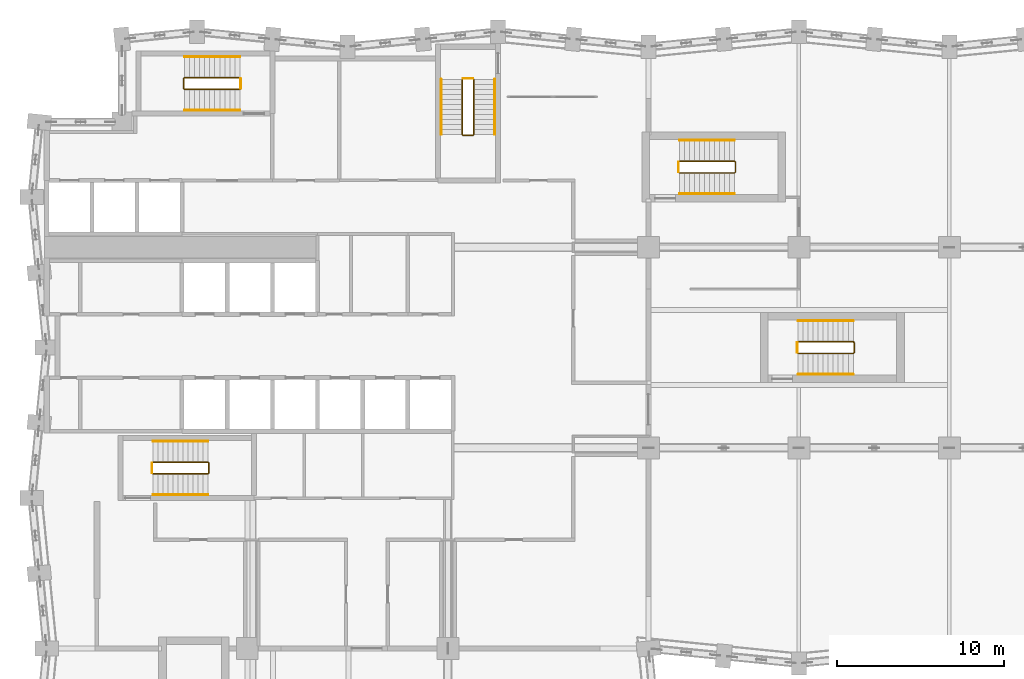
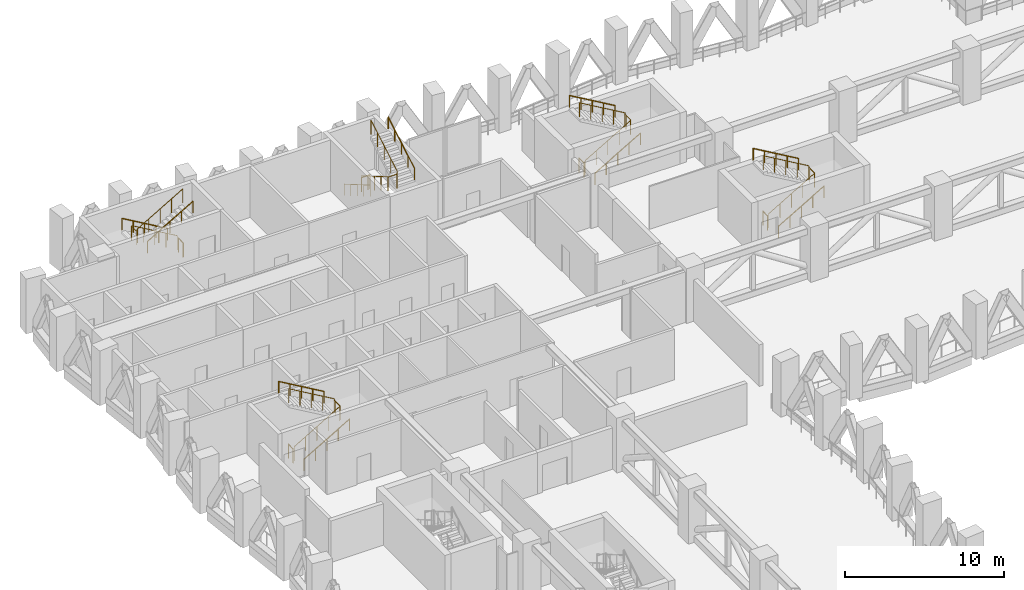
# One storey, part 25 of 25: 20 railings.
"""IFC4 building model written with IfcOpenShell, lengths in metres."""

from ifc_helpers import new_model, si_unit, direction, frame, origin, origin_2d, place, context, subcontext, project, spatial, circle, extrude, material, type_object, element, save


model = new_model("IFC4")

# Units and contexts
model_context = context("Model", 3, precision=1e-05, world=origin(), true_north=direction((0.0, 1.0)))
body_context = subcontext(model_context, "Body", "Model", "MODEL_VIEW")
ifc_project = project(units=[si_unit("LENGTHUNIT", "METRE"), si_unit("AREAUNIT", "SQUARE_METRE"), si_unit("VOLUMEUNIT", "CUBIC_METRE"), si_unit("PLANEANGLEUNIT", "RADIAN"), si_unit("MASSUNIT", "GRAM", prefix="KILO")], contexts=[model_context])

# Site, building, storey
site_placement = place(None, origin())
site = spatial("IfcSite", under=ifc_project, at=site_placement, CompositionType="ELEMENT")
building_placement = place(site_placement, origin())
building = spatial("IfcBuilding", under=site, at=building_placement, Name="Brondeck Convention Tower", CompositionType="ELEMENT")
storey_placement = place(building_placement, frame((0.0, 0.0, 84.300048828125)))
storey = spatial("IfcBuildingStorey", under=building, at=storey_placement, Name="L19", CompositionType="ELEMENT", Elevation=84.300048828125)

# Railings
ifc_material = material(Name="Steel S355", Category="steel")
railing_type_1 = type_object("IfcRailingType", Name="Stair guard 1100", PredefinedType="GUARDRAIL", material=ifc_material)
railing_1_placement = place(storey_placement, frame((6.35009765625, 37.449951171875, 0.175048828125)))
element("IfcRailing", 1, at=railing_1_placement, inside=storey, type_object=railing_type_1, Name="L19 ST-1 stair guard 1", PredefinedType="GUARDRAIL", context=body_context, shape_type="SweptSolid", body=[
    extrude(circle(Radius=0.02392578125, at=origin_2d()), frame((0.0, 0.0, 1.076171875), z_axis=(0.863788172461, 0.0, 0.503855131081), x_axis=(0.0, 1.0, 0.0)), (0.0, 0.0, 1.0), 3.820068359375),
    extrude(circle(Radius=0.02392578125, at=origin_2d()), frame((3.2998046875, 0.0, 3.0009765625), z_axis=(0.707106781187, 0.707106781187, 0.0), x_axis=(-0.707106781187, 0.707106781187, 0.0)), (0.0, 0.0, 1.0), 0.07080078125),
    extrude(circle(Radius=0.02392578125, at=origin_2d()), frame((3.349853515625, 0.050048828125, 3.0009765625), z_axis=(0.0, 1.0, 0.0), x_axis=(-1.0, 0.0, 0.0)), (0.0, 0.0, 1.0), 0.60009765625),
    extrude(circle(Radius=0.02392578125, at=origin_2d()), frame((3.349853515625, 0.650146484375, 3.0009765625), z_axis=(-0.265155923931, 0.263862480399, 0.927399011991), x_axis=(-0.705375805398, -0.708833529934, 0.0)), (0.0, 0.0, 1.0), 0.188720703125),
    extrude(circle(Radius=0.02392578125, at=origin_2d()), frame((3.2998046875, 0.699951171875, 3.17578125), z_axis=(-0.863760357493, 0.0, 0.503902812876), x_axis=(0.0, -1.0, 0.0)), (0.0, 0.0, 1.0), 3.8203125),
    extrude(circle(Radius=0.02099609375, at=origin_2d()), origin(), (0.0, 0.0, 1.0), 1.052001953125),
    extrude(circle(Radius=0.02099609375, at=origin_2d()), frame((0.824951171875, 0.0, 0.481201171875)), (0.0, 0.0, 1.0), 1.052001953125),
    extrude(circle(Radius=0.02099609375, at=origin_2d()), frame((1.64990234375, 0.0, 0.96240234375)), (0.0, 0.0, 1.0), 1.052001953125),
    extrude(circle(Radius=0.02099609375, at=origin_2d()), frame((2.474853515625, 0.0, 1.443603515625)), (0.0, 0.0, 1.0), 1.052001953125),
    extrude(circle(Radius=0.02099609375, at=origin_2d()), frame((3.2998046875, 0.0, 1.9248046875)), (0.0, 0.0, 1.0), 1.052001953125),
    extrude(circle(Radius=0.02099609375, at=origin_2d()), frame((3.349853515625, 0.050048828125, 1.9248046875)), (0.0, 0.0, 1.0), 1.052001953125),
    extrude(circle(Radius=0.02099609375, at=origin_2d()), frame((3.349853515625, 0.650146484375, 1.9248046875)), (0.0, 0.0, 1.0), 1.052001953125),
    extrude(circle(Radius=0.02099609375, at=origin_2d()), frame((3.2998046875, 0.699951171875, 2.099853515625)), (0.0, 0.0, 1.0), 1.052001953125),
    extrude(circle(Radius=0.02099609375, at=origin_2d()), frame((2.474853515625, 0.699951171875, 2.5810546875)), (0.0, 0.0, 1.0), 1.052001953125),
    extrude(circle(Radius=0.02099609375, at=origin_2d()), frame((1.64990234375, 0.699951171875, 3.0625)), (0.0, 0.0, 1.0), 1.052001953125),
    extrude(circle(Radius=0.02099609375, at=origin_2d()), frame((0.824951171875, 0.699951171875, 3.543701171875)), (0.0, 0.0, 1.0), 1.052001953125),
    extrude(circle(Radius=0.02099609375, at=origin_2d()), frame((0.0, 0.699951171875, 4.02490234375)), (0.0, 0.0, 1.0), 1.052001953125),
])
railing_2_placement = place(storey_placement, frame((6.300048828125, 37.5, 0.0)))
element("IfcRailing", 2, at=railing_2_placement, inside=storey, type_object=railing_type_1, Name="L19 ST-1 stair guard 2", PredefinedType="GUARDRAIL", context=body_context, shape_type="SweptSolid", body=[
    extrude(circle(Radius=0.02392578125, at=origin_2d()), frame((0.0, 0.0, 1.076171875), z_axis=(0.0, 1.0, 0.0), x_axis=(-1.0, 0.0, 0.0)), (0.0, 0.0, 1.0), 0.60009765625),
    extrude(circle(Radius=0.02099609375, at=origin_2d()), origin(), (0.0, 0.0, 1.0), 1.052001953125),
    extrude(circle(Radius=0.02099609375, at=origin_2d()), frame((0.0, 0.60009765625, 0.0)), (0.0, 0.0, 1.0), 1.052001953125),
])
railing_3_placement = place(storey_placement, frame((24.85009765625, 61.050048828125, 0.175048828125)))
element("IfcRailing", 3, at=railing_3_placement, inside=storey, type_object=railing_type_1, Name="L19 ST-2 stair guard 1", PredefinedType="GUARDRAIL", context=body_context, shape_type="SweptSolid", body=[
    extrude(circle(Radius=0.02392578125, at=origin_2d()), frame((0.0, 0.0, 1.076171875), z_axis=(0.0, -0.863804395585, 0.503827317807), x_axis=(1.0, 0.0, 0.0)), (0.0, 0.0, 1.0), 3.8203125),
    extrude(circle(Radius=0.02392578125, at=origin_2d()), frame((0.0, -3.300048828125, 3.0009765625), z_axis=(0.705375805398, -0.708833529934, 0.0), x_axis=(0.708833529934, 0.705375805398, 0.0)), (0.0, 0.0, 1.0), 0.070556640625),
    extrude(circle(Radius=0.02392578125, at=origin_2d()), frame((0.0498046875, -3.35009765625, 3.0009765625), z_axis=(1.0, 0.0, 0.0), x_axis=(0.0, 1.0, 0.0)), (0.0, 0.0, 1.0), 0.60009765625),
    extrude(circle(Radius=0.02392578125, at=origin_2d()), frame((0.64990234375, -3.35009765625, 3.0009765625), z_axis=(0.265065253269, 0.265065253269, 0.927081885822), x_axis=(-0.707106781187, 0.707106781187, 0.0)), (0.0, 0.0, 1.0), 0.188720703125),
    extrude(circle(Radius=0.02392578125, at=origin_2d()), frame((0.699951171875, -3.300048828125, 3.17578125), z_axis=(0.0, 0.863776583165, 0.503874998761), x_axis=(-1.0, 0.0, 0.0)), (0.0, 0.0, 1.0), 3.820556640625),
    extrude(circle(Radius=0.02099609375, at=origin_2d()), origin(), (0.0, 0.0, 1.0), 1.052001953125),
    extrude(circle(Radius=0.02099609375, at=origin_2d()), frame((0.0, -0.824951171875, 0.481201171875)), (0.0, 0.0, 1.0), 1.052001953125),
    extrude(circle(Radius=0.02099609375, at=origin_2d()), frame((0.0, -1.64990234375, 0.96240234375)), (0.0, 0.0, 1.0), 1.052001953125),
    extrude(circle(Radius=0.02099609375, at=origin_2d()), frame((0.0, -2.47509765625, 1.443603515625)), (0.0, 0.0, 1.0), 1.052001953125),
    extrude(circle(Radius=0.02099609375, at=origin_2d()), frame((0.0, -3.300048828125, 1.9248046875)), (0.0, 0.0, 1.0), 1.052001953125),
    extrude(circle(Radius=0.02099609375, at=origin_2d()), frame((0.0498046875, -3.35009765625, 1.9248046875)), (0.0, 0.0, 1.0), 1.052001953125),
    extrude(circle(Radius=0.02099609375, at=origin_2d()), frame((0.64990234375, -3.35009765625, 1.9248046875)), (0.0, 0.0, 1.0), 1.052001953125),
    extrude(circle(Radius=0.02099609375, at=origin_2d()), frame((0.699951171875, -3.300048828125, 2.099853515625)), (0.0, 0.0, 1.0), 1.052001953125),
    extrude(circle(Radius=0.02099609375, at=origin_2d()), frame((0.699951171875, -2.47509765625, 2.5810546875)), (0.0, 0.0, 1.0), 1.052001953125),
    extrude(circle(Radius=0.02099609375, at=origin_2d()), frame((0.699951171875, -1.64990234375, 3.0625)), (0.0, 0.0, 1.0), 1.052001953125),
    extrude(circle(Radius=0.02099609375, at=origin_2d()), frame((0.699951171875, -0.824951171875, 3.543701171875)), (0.0, 0.0, 1.0), 1.052001953125),
    extrude(circle(Radius=0.02099609375, at=origin_2d()), frame((0.699951171875, 0.0, 4.02490234375)), (0.0, 0.0, 1.0), 1.052001953125),
])
railing_4_placement = place(storey_placement, frame((24.89990234375, 61.10009765625, 0.0)))
element("IfcRailing", 4, at=railing_4_placement, inside=storey, type_object=railing_type_1, Name="L19 ST-2 stair guard 2", PredefinedType="GUARDRAIL", context=body_context, shape_type="SweptSolid", body=[
    extrude(circle(Radius=0.02392578125, at=origin_2d()), frame((0.0, 0.0, 1.076171875), z_axis=(1.0, 0.0, 0.0), x_axis=(0.0, 1.0, 0.0)), (0.0, 0.0, 1.0), 0.60009765625),
    extrude(circle(Radius=0.02099609375, at=origin_2d()), origin(), (0.0, 0.0, 1.0), 1.052001953125),
    extrude(circle(Radius=0.02099609375, at=origin_2d()), frame((0.60009765625, 0.0, 0.0)), (0.0, 0.0, 1.0), 1.052001953125),
])
railing_5_placement = place(storey_placement, frame((11.550048828125, 61.14990234375, 0.175048828125)))
element("IfcRailing", 5, at=railing_5_placement, inside=storey, type_object=railing_type_1, Name="L19 ST-3 stair guard 1", PredefinedType="GUARDRAIL", context=body_context, shape_type="SweptSolid", body=[
    extrude(circle(Radius=0.02392578125, at=origin_2d()), frame((0.0, 0.0, 1.076171875), z_axis=(-0.863804395585, 0.0, 0.503827317807), x_axis=(0.0, -1.0, 0.0)), (0.0, 0.0, 1.0), 3.8203125),
    extrude(circle(Radius=0.02392578125, at=origin_2d()), frame((-3.300048828125, 0.0, 3.0009765625), z_axis=(-0.708833529934, -0.705375805398, 0.0), x_axis=(0.705375805398, -0.708833529934, 0.0)), (0.0, 0.0, 1.0), 0.070556640625),
    extrude(circle(Radius=0.02392578125, at=origin_2d()), frame((-3.35009765625, -0.0498046875, 3.0009765625), z_axis=(0.0, -1.0, 0.0), x_axis=(1.0, 0.0, 0.0)), (0.0, 0.0, 1.0), 0.60009765625),
    extrude(circle(Radius=0.02392578125, at=origin_2d()), frame((-3.35009765625, -0.64990234375, 3.0009765625), z_axis=(0.265065253269, -0.265065253269, 0.927081885822), x_axis=(0.707106781187, 0.707106781187, 0.0)), (0.0, 0.0, 1.0), 0.188720703125),
    extrude(circle(Radius=0.02392578125, at=origin_2d()), frame((-3.300048828125, -0.699951171875, 3.17578125), z_axis=(0.863776583165, 0.0, 0.503874998761), x_axis=(0.0, 1.0, 0.0)), (0.0, 0.0, 1.0), 3.820556640625),
    extrude(circle(Radius=0.02099609375, at=origin_2d()), origin(), (0.0, 0.0, 1.0), 1.052001953125),
    extrude(circle(Radius=0.02099609375, at=origin_2d()), frame((-0.824951171875, 0.0, 0.481201171875)), (0.0, 0.0, 1.0), 1.052001953125),
    extrude(circle(Radius=0.02099609375, at=origin_2d()), frame((-1.64990234375, 0.0, 0.96240234375)), (0.0, 0.0, 1.0), 1.052001953125),
    extrude(circle(Radius=0.02099609375, at=origin_2d()), frame((-2.47509765625, 0.0, 1.443603515625)), (0.0, 0.0, 1.0), 1.052001953125),
    extrude(circle(Radius=0.02099609375, at=origin_2d()), frame((-3.300048828125, 0.0, 1.9248046875)), (0.0, 0.0, 1.0), 1.052001953125),
    extrude(circle(Radius=0.02099609375, at=origin_2d()), frame((-3.35009765625, -0.0498046875, 1.9248046875)), (0.0, 0.0, 1.0), 1.052001953125),
    extrude(circle(Radius=0.02099609375, at=origin_2d()), frame((-3.35009765625, -0.64990234375, 1.9248046875)), (0.0, 0.0, 1.0), 1.052001953125),
    extrude(circle(Radius=0.02099609375, at=origin_2d()), frame((-3.300048828125, -0.699951171875, 2.099853515625)), (0.0, 0.0, 1.0), 1.052001953125),
    extrude(circle(Radius=0.02099609375, at=origin_2d()), frame((-2.47509765625, -0.699951171875, 2.5810546875)), (0.0, 0.0, 1.0), 1.052001953125),
    extrude(circle(Radius=0.02099609375, at=origin_2d()), frame((-1.64990234375, -0.699951171875, 3.0625)), (0.0, 0.0, 1.0), 1.052001953125),
    extrude(circle(Radius=0.02099609375, at=origin_2d()), frame((-0.824951171875, -0.699951171875, 3.543701171875)), (0.0, 0.0, 1.0), 1.052001953125),
    extrude(circle(Radius=0.02099609375, at=origin_2d()), frame((0.0, -0.699951171875, 4.02490234375)), (0.0, 0.0, 1.0), 1.052001953125),
])
railing_6_placement = place(storey_placement, frame((11.60009765625, 61.10009765625, 0.0)))
element("IfcRailing", 6, at=railing_6_placement, inside=storey, type_object=railing_type_1, Name="L19 ST-3 stair guard 2", PredefinedType="GUARDRAIL", context=body_context, shape_type="SweptSolid", body=[
    extrude(circle(Radius=0.02392578125, at=origin_2d()), frame((0.0, 0.0, 1.076171875), z_axis=(0.0, -1.0, 0.0), x_axis=(1.0, 0.0, 0.0)), (0.0, 0.0, 1.0), 0.60009765625),
    extrude(circle(Radius=0.02099609375, at=origin_2d()), origin(), (0.0, 0.0, 1.0), 1.052001953125),
    extrude(circle(Radius=0.02099609375, at=origin_2d()), frame((0.0, -0.60009765625, 0.0)), (0.0, 0.0, 1.0), 1.052001953125),
])
railing_7_placement = place(storey_placement, frame((37.85009765625, 55.449951171875, 0.175048828125)))
element("IfcRailing", 7, at=railing_7_placement, inside=storey, type_object=railing_type_1, Name="L19 ST-AE stair guard 1", PredefinedType="GUARDRAIL", context=body_context, shape_type="SweptSolid", body=[
    extrude(circle(Radius=0.02392578125, at=origin_2d()), frame((0.0, 0.0, 1.076171875), z_axis=(0.863788172461, 0.0, 0.503855131081), x_axis=(0.0, 1.0, 0.0)), (0.0, 0.0, 1.0), 3.820068359375),
    extrude(circle(Radius=0.02392578125, at=origin_2d()), frame((3.2998046875, 0.0, 3.0009765625), z_axis=(0.707106781187, 0.707106781187, 0.0), x_axis=(-0.707106781187, 0.707106781187, 0.0)), (0.0, 0.0, 1.0), 0.07080078125),
    extrude(circle(Radius=0.02392578125, at=origin_2d()), frame((3.349853515625, 0.050048828125, 3.0009765625), z_axis=(0.0, 1.0, 0.0), x_axis=(-1.0, 0.0, 0.0)), (0.0, 0.0, 1.0), 0.60009765625),
    extrude(circle(Radius=0.02392578125, at=origin_2d()), frame((3.349853515625, 0.650146484375, 3.0009765625), z_axis=(-0.265155923931, 0.263862480399, 0.927399011991), x_axis=(-0.705375805398, -0.708833529934, 0.0)), (0.0, 0.0, 1.0), 0.188720703125),
    extrude(circle(Radius=0.02392578125, at=origin_2d()), frame((3.2998046875, 0.699951171875, 3.17578125), z_axis=(-0.863760357493, 0.0, 0.503902812876), x_axis=(0.0, -1.0, 0.0)), (0.0, 0.0, 1.0), 3.8203125),
    extrude(circle(Radius=0.02099609375, at=origin_2d()), origin(), (0.0, 0.0, 1.0), 1.052001953125),
    extrude(circle(Radius=0.02099609375, at=origin_2d()), frame((0.824951171875, 0.0, 0.481201171875)), (0.0, 0.0, 1.0), 1.052001953125),
    extrude(circle(Radius=0.02099609375, at=origin_2d()), frame((1.64990234375, 0.0, 0.96240234375)), (0.0, 0.0, 1.0), 1.052001953125),
    extrude(circle(Radius=0.02099609375, at=origin_2d()), frame((2.474853515625, 0.0, 1.443603515625)), (0.0, 0.0, 1.0), 1.052001953125),
    extrude(circle(Radius=0.02099609375, at=origin_2d()), frame((3.2998046875, 0.0, 1.9248046875)), (0.0, 0.0, 1.0), 1.052001953125),
    extrude(circle(Radius=0.02099609375, at=origin_2d()), frame((3.349853515625, 0.050048828125, 1.9248046875)), (0.0, 0.0, 1.0), 1.052001953125),
    extrude(circle(Radius=0.02099609375, at=origin_2d()), frame((3.349853515625, 0.650146484375, 1.9248046875)), (0.0, 0.0, 1.0), 1.052001953125),
    extrude(circle(Radius=0.02099609375, at=origin_2d()), frame((3.2998046875, 0.699951171875, 2.099853515625)), (0.0, 0.0, 1.0), 1.052001953125),
    extrude(circle(Radius=0.02099609375, at=origin_2d()), frame((2.474853515625, 0.699951171875, 2.5810546875)), (0.0, 0.0, 1.0), 1.052001953125),
    extrude(circle(Radius=0.02099609375, at=origin_2d()), frame((1.64990234375, 0.699951171875, 3.0625)), (0.0, 0.0, 1.0), 1.052001953125),
    extrude(circle(Radius=0.02099609375, at=origin_2d()), frame((0.824951171875, 0.699951171875, 3.543701171875)), (0.0, 0.0, 1.0), 1.052001953125),
    extrude(circle(Radius=0.02099609375, at=origin_2d()), frame((0.0, 0.699951171875, 4.02490234375)), (0.0, 0.0, 1.0), 1.052001953125),
])
railing_8_placement = place(storey_placement, frame((37.800048828125, 55.5, 0.0)))
element("IfcRailing", 8, at=railing_8_placement, inside=storey, type_object=railing_type_1, Name="L19 ST-AE stair guard 2", PredefinedType="GUARDRAIL", context=body_context, shape_type="SweptSolid", body=[
    extrude(circle(Radius=0.02392578125, at=origin_2d()), frame((0.0, 0.0, 1.076171875), z_axis=(0.0, 1.0, 0.0), x_axis=(-1.0, 0.0, 0.0)), (0.0, 0.0, 1.0), 0.60009765625),
    extrude(circle(Radius=0.02099609375, at=origin_2d()), origin(), (0.0, 0.0, 1.0), 1.052001953125),
    extrude(circle(Radius=0.02099609375, at=origin_2d()), frame((0.0, 0.60009765625, 0.0)), (0.0, 0.0, 1.0), 1.052001953125),
])
railing_9_placement = place(storey_placement, frame((44.949951171875, 44.64990234375, 0.175048828125)))
element("IfcRailing", 9, at=railing_9_placement, inside=storey, type_object=railing_type_1, Name="L19 ST-AF stair guard 1", PredefinedType="GUARDRAIL", context=body_context, shape_type="SweptSolid", body=[
    extrude(circle(Radius=0.02392578125, at=origin_2d()), frame((0.0, 0.0, 1.076171875), z_axis=(0.863804395585, 0.0, 0.503827317807), x_axis=(0.0, 1.0, 0.0)), (0.0, 0.0, 1.0), 3.8203125),
    extrude(circle(Radius=0.02392578125, at=origin_2d()), frame((3.300048828125, 0.0, 3.0009765625), z_axis=(0.707106781187, 0.707106781187, 0.0), x_axis=(-0.707106781187, 0.707106781187, 0.0)), (0.0, 0.0, 1.0), 0.07080078125),
    extrude(circle(Radius=0.02392578125, at=origin_2d()), frame((3.35009765625, 0.050048828125, 3.0009765625), z_axis=(0.0, 1.0, 0.0), x_axis=(-1.0, 0.0, 0.0)), (0.0, 0.0, 1.0), 0.60009765625),
    extrude(circle(Radius=0.02392578125, at=origin_2d()), frame((3.35009765625, 0.650146484375, 3.0009765625), z_axis=(-0.265065253269, 0.265065253269, 0.927081885822), x_axis=(-0.707106781187, -0.707106781187, 0.0)), (0.0, 0.0, 1.0), 0.188720703125),
    extrude(circle(Radius=0.02392578125, at=origin_2d()), frame((3.300048828125, 0.7001953125, 3.17578125), z_axis=(-0.863776583165, 0.0, 0.503874998761), x_axis=(0.0, -1.0, 0.0)), (0.0, 0.0, 1.0), 3.820556640625),
    extrude(circle(Radius=0.02099609375, at=origin_2d()), origin(), (0.0, 0.0, 1.0), 1.052001953125),
    extrude(circle(Radius=0.02099609375, at=origin_2d()), frame((0.824951171875, 0.0, 0.481201171875)), (0.0, 0.0, 1.0), 1.052001953125),
    extrude(circle(Radius=0.02099609375, at=origin_2d()), frame((1.64990234375, 0.0, 0.96240234375)), (0.0, 0.0, 1.0), 1.052001953125),
    extrude(circle(Radius=0.02099609375, at=origin_2d()), frame((2.47509765625, 0.0, 1.443603515625)), (0.0, 0.0, 1.0), 1.052001953125),
    extrude(circle(Radius=0.02099609375, at=origin_2d()), frame((3.300048828125, 0.0, 1.9248046875)), (0.0, 0.0, 1.0), 1.052001953125),
    extrude(circle(Radius=0.02099609375, at=origin_2d()), frame((3.35009765625, 0.050048828125, 1.9248046875)), (0.0, 0.0, 1.0), 1.052001953125),
    extrude(circle(Radius=0.02099609375, at=origin_2d()), frame((3.35009765625, 0.650146484375, 1.9248046875)), (0.0, 0.0, 1.0), 1.052001953125),
    extrude(circle(Radius=0.02099609375, at=origin_2d()), frame((3.300048828125, 0.7001953125, 2.099853515625)), (0.0, 0.0, 1.0), 1.052001953125),
    extrude(circle(Radius=0.02099609375, at=origin_2d()), frame((2.47509765625, 0.7001953125, 2.5810546875)), (0.0, 0.0, 1.0), 1.052001953125),
    extrude(circle(Radius=0.02099609375, at=origin_2d()), frame((1.64990234375, 0.7001953125, 3.0625)), (0.0, 0.0, 1.0), 1.052001953125),
    extrude(circle(Radius=0.02099609375, at=origin_2d()), frame((0.824951171875, 0.7001953125, 3.543701171875)), (0.0, 0.0, 1.0), 1.052001953125),
    extrude(circle(Radius=0.02099609375, at=origin_2d()), frame((0.0, 0.7001953125, 4.02490234375)), (0.0, 0.0, 1.0), 1.052001953125),
])
railing_10_placement = place(storey_placement, frame((44.89990234375, 44.699951171875, 0.0)))
element("IfcRailing", 10, at=railing_10_placement, inside=storey, type_object=railing_type_1, Name="L19 ST-AF stair guard 2", PredefinedType="GUARDRAIL", context=body_context, shape_type="SweptSolid", body=[
    extrude(circle(Radius=0.02392578125, at=origin_2d()), frame((0.0, 0.0, 1.076171875), z_axis=(0.0, 1.0, 0.0), x_axis=(-1.0, 0.0, 0.0)), (0.0, 0.0, 1.0), 0.60009765625),
    extrude(circle(Radius=0.02099609375, at=origin_2d()), origin(), (0.0, 0.0, 1.0), 1.052001953125),
    extrude(circle(Radius=0.02099609375, at=origin_2d()), frame((0.0, 0.60009765625, 0.0)), (0.0, 0.0, 1.0), 1.052001953125),
])
railing_type_2 = type_object("IfcRailingType", Name="Stair handrail", PredefinedType="HANDRAIL", material=ifc_material)
railing_11_placement = place(storey_placement, frame((6.35009765625, 36.199951171875, 0.175048828125)))
element("IfcRailing", 11, at=railing_11_placement, inside=storey, type_object=railing_type_2, Name="L19 ST-1 stair handrail 1", PredefinedType="HANDRAIL", context=body_context, shape_type="SweptSolid", body=[
    extrude(circle(Radius=0.02392578125, at=origin_2d()), frame((0.0, 0.0, 0.8759765625), z_axis=(0.863788172461, 0.0, 0.503855131081), x_axis=(0.0, 1.0, 0.0)), (0.0, 0.0, 1.0), 3.820068359375),
    extrude(circle(Radius=0.02099609375, at=origin_2d()), origin(), (0.0, 0.0, 1.0), 0.851806640625),
    extrude(circle(Radius=0.02099609375, at=origin_2d()), frame((0.824951171875, 0.0, 0.481201171875)), (0.0, 0.0, 1.0), 0.851806640625),
    extrude(circle(Radius=0.02099609375, at=origin_2d()), frame((1.64990234375, 0.0, 0.96240234375)), (0.0, 0.0, 1.0), 0.851806640625),
    extrude(circle(Radius=0.02099609375, at=origin_2d()), frame((2.474853515625, 0.0, 1.443603515625)), (0.0, 0.0, 1.0), 0.851806640625),
    extrude(circle(Radius=0.02099609375, at=origin_2d()), frame((3.2998046875, 0.0, 1.9248046875)), (0.0, 0.0, 1.0), 0.851806640625),
])
railing_12_placement = place(storey_placement, frame((9.64990234375, 39.39990234375, 2.27490234375)))
element("IfcRailing", 12, at=railing_12_placement, inside=storey, type_object=railing_type_2, Name="L19 ST-1 stair handrail 2", PredefinedType="HANDRAIL", context=body_context, shape_type="SweptSolid", body=[
    extrude(circle(Radius=0.02392578125, at=origin_2d()), frame((0.0, 0.0, 0.8759765625), z_axis=(-0.863760357493, 0.0, 0.503902812876), x_axis=(0.0, -1.0, 0.0)), (0.0, 0.0, 1.0), 3.8203125),
    extrude(circle(Radius=0.02099609375, at=origin_2d()), origin(), (0.0, 0.0, 1.0), 0.851806640625),
    extrude(circle(Radius=0.02099609375, at=origin_2d()), frame((-0.824951171875, 0.0, 0.481201171875)), (0.0, 0.0, 1.0), 0.851806640625),
    extrude(circle(Radius=0.02099609375, at=origin_2d()), frame((-1.64990234375, 0.0, 0.96240234375)), (0.0, 0.0, 1.0), 0.851806640625),
    extrude(circle(Radius=0.02099609375, at=origin_2d()), frame((-2.474853515625, 0.0, 1.44384765625)), (0.0, 0.0, 1.0), 0.851806640625),
    extrude(circle(Radius=0.02099609375, at=origin_2d()), frame((-3.2998046875, 0.0, 1.925048828125)), (0.0, 0.0, 1.0), 0.851806640625),
])
railing_13_placement = place(storey_placement, frame((23.60009765625, 61.050048828125, 0.175048828125)))
element("IfcRailing", 13, at=railing_13_placement, inside=storey, type_object=railing_type_2, Name="L19 ST-2 stair handrail 1", PredefinedType="HANDRAIL", context=body_context, shape_type="SweptSolid", body=[
    extrude(circle(Radius=0.02392578125, at=origin_2d()), frame((0.0, 0.0, 0.8759765625), z_axis=(0.0, -0.863804395585, 0.503827317807), x_axis=(1.0, 0.0, 0.0)), (0.0, 0.0, 1.0), 3.8203125),
    extrude(circle(Radius=0.02099609375, at=origin_2d()), origin(), (0.0, 0.0, 1.0), 0.851806640625),
    extrude(circle(Radius=0.02099609375, at=origin_2d()), frame((0.0, -0.824951171875, 0.481201171875)), (0.0, 0.0, 1.0), 0.851806640625),
    extrude(circle(Radius=0.02099609375, at=origin_2d()), frame((0.0, -1.64990234375, 0.96240234375)), (0.0, 0.0, 1.0), 0.851806640625),
    extrude(circle(Radius=0.02099609375, at=origin_2d()), frame((0.0, -2.47509765625, 1.443603515625)), (0.0, 0.0, 1.0), 0.851806640625),
    extrude(circle(Radius=0.02099609375, at=origin_2d()), frame((0.0, -3.300048828125, 1.9248046875)), (0.0, 0.0, 1.0), 0.851806640625),
])
railing_14_placement = place(storey_placement, frame((26.800048828125, 57.75, 2.27490234375)))
element("IfcRailing", 14, at=railing_14_placement, inside=storey, type_object=railing_type_2, Name="L19 ST-2 stair handrail 2", PredefinedType="HANDRAIL", context=body_context, shape_type="SweptSolid", body=[
    extrude(circle(Radius=0.02392578125, at=origin_2d()), frame((0.0, 0.0, 0.8759765625), z_axis=(0.0, 0.863776583165, 0.503874998761), x_axis=(-1.0, 0.0, 0.0)), (0.0, 0.0, 1.0), 3.820556640625),
    extrude(circle(Radius=0.02099609375, at=origin_2d()), origin(), (0.0, 0.0, 1.0), 0.851806640625),
    extrude(circle(Radius=0.02099609375, at=origin_2d()), frame((0.0, 0.824951171875, 0.481201171875)), (0.0, 0.0, 1.0), 0.851806640625),
    extrude(circle(Radius=0.02099609375, at=origin_2d()), frame((0.0, 1.64990234375, 0.96240234375)), (0.0, 0.0, 1.0), 0.851806640625),
    extrude(circle(Radius=0.02099609375, at=origin_2d()), frame((0.0, 2.47509765625, 1.44384765625)), (0.0, 0.0, 1.0), 0.851806640625),
    extrude(circle(Radius=0.02099609375, at=origin_2d()), frame((0.0, 3.300048828125, 1.925048828125)), (0.0, 0.0, 1.0), 0.851806640625),
])
railing_15_placement = place(storey_placement, frame((11.550048828125, 62.39990234375, 0.175048828125)))
element("IfcRailing", 15, at=railing_15_placement, inside=storey, type_object=railing_type_2, Name="L19 ST-3 stair handrail 1", PredefinedType="HANDRAIL", context=body_context, shape_type="SweptSolid", body=[
    extrude(circle(Radius=0.02392578125, at=origin_2d()), frame((0.0, 0.0, 0.8759765625), z_axis=(-0.863804395585, 0.0, 0.503827317807), x_axis=(0.0, -1.0, 0.0)), (0.0, 0.0, 1.0), 3.8203125),
    extrude(circle(Radius=0.02099609375, at=origin_2d()), origin(), (0.0, 0.0, 1.0), 0.851806640625),
    extrude(circle(Radius=0.02099609375, at=origin_2d()), frame((-0.824951171875, 0.0, 0.481201171875)), (0.0, 0.0, 1.0), 0.851806640625),
    extrude(circle(Radius=0.02099609375, at=origin_2d()), frame((-1.64990234375, 0.0, 0.96240234375)), (0.0, 0.0, 1.0), 0.851806640625),
    extrude(circle(Radius=0.02099609375, at=origin_2d()), frame((-2.47509765625, 0.0, 1.443603515625)), (0.0, 0.0, 1.0), 0.851806640625),
    extrude(circle(Radius=0.02099609375, at=origin_2d()), frame((-3.300048828125, 0.0, 1.9248046875)), (0.0, 0.0, 1.0), 0.851806640625),
])
railing_16_placement = place(storey_placement, frame((8.25, 59.199951171875, 2.27490234375)))
element("IfcRailing", 16, at=railing_16_placement, inside=storey, type_object=railing_type_2, Name="L19 ST-3 stair handrail 2", PredefinedType="HANDRAIL", context=body_context, shape_type="SweptSolid", body=[
    extrude(circle(Radius=0.02392578125, at=origin_2d()), frame((0.0, 0.0, 0.8759765625), z_axis=(0.863776583165, 0.0, 0.503874998761), x_axis=(0.0, 1.0, 0.0)), (0.0, 0.0, 1.0), 3.820556640625),
    extrude(circle(Radius=0.02099609375, at=origin_2d()), origin(), (0.0, 0.0, 1.0), 0.851806640625),
    extrude(circle(Radius=0.02099609375, at=origin_2d()), frame((0.824951171875, 0.0, 0.481201171875)), (0.0, 0.0, 1.0), 0.851806640625),
    extrude(circle(Radius=0.02099609375, at=origin_2d()), frame((1.64990234375, 0.0, 0.96240234375)), (0.0, 0.0, 1.0), 0.851806640625),
    extrude(circle(Radius=0.02099609375, at=origin_2d()), frame((2.47509765625, 0.0, 1.44384765625)), (0.0, 0.0, 1.0), 0.851806640625),
    extrude(circle(Radius=0.02099609375, at=origin_2d()), frame((3.300048828125, 0.0, 1.925048828125)), (0.0, 0.0, 1.0), 0.851806640625),
])
railing_17_placement = place(storey_placement, frame((37.85009765625, 54.199951171875, 0.175048828125)))
element("IfcRailing", 17, at=railing_17_placement, inside=storey, type_object=railing_type_2, Name="L19 ST-AE stair handrail 1", PredefinedType="HANDRAIL", context=body_context, shape_type="SweptSolid", body=[
    extrude(circle(Radius=0.02392578125, at=origin_2d()), frame((0.0, 0.0, 0.8759765625), z_axis=(0.863788172461, 0.0, 0.503855131081), x_axis=(0.0, 1.0, 0.0)), (0.0, 0.0, 1.0), 3.820068359375),
    extrude(circle(Radius=0.02099609375, at=origin_2d()), origin(), (0.0, 0.0, 1.0), 0.851806640625),
    extrude(circle(Radius=0.02099609375, at=origin_2d()), frame((0.824951171875, 0.0, 0.481201171875)), (0.0, 0.0, 1.0), 0.851806640625),
    extrude(circle(Radius=0.02099609375, at=origin_2d()), frame((1.64990234375, 0.0, 0.96240234375)), (0.0, 0.0, 1.0), 0.851806640625),
    extrude(circle(Radius=0.02099609375, at=origin_2d()), frame((2.474853515625, 0.0, 1.443603515625)), (0.0, 0.0, 1.0), 0.851806640625),
    extrude(circle(Radius=0.02099609375, at=origin_2d()), frame((3.2998046875, 0.0, 1.9248046875)), (0.0, 0.0, 1.0), 0.851806640625),
])
railing_18_placement = place(storey_placement, frame((41.14990234375, 57.39990234375, 2.27490234375)))
element("IfcRailing", 18, at=railing_18_placement, inside=storey, type_object=railing_type_2, Name="L19 ST-AE stair handrail 2", PredefinedType="HANDRAIL", context=body_context, shape_type="SweptSolid", body=[
    extrude(circle(Radius=0.02392578125, at=origin_2d()), frame((0.0, 0.0, 0.8759765625), z_axis=(-0.863760357493, 0.0, 0.503902812876), x_axis=(0.0, -1.0, 0.0)), (0.0, 0.0, 1.0), 3.8203125),
    extrude(circle(Radius=0.02099609375, at=origin_2d()), origin(), (0.0, 0.0, 1.0), 0.851806640625),
    extrude(circle(Radius=0.02099609375, at=origin_2d()), frame((-0.824951171875, 0.0, 0.481201171875)), (0.0, 0.0, 1.0), 0.851806640625),
    extrude(circle(Radius=0.02099609375, at=origin_2d()), frame((-1.64990234375, 0.0, 0.96240234375)), (0.0, 0.0, 1.0), 0.851806640625),
    extrude(circle(Radius=0.02099609375, at=origin_2d()), frame((-2.474853515625, 0.0, 1.44384765625)), (0.0, 0.0, 1.0), 0.851806640625),
    extrude(circle(Radius=0.02099609375, at=origin_2d()), frame((-3.2998046875, 0.0, 1.925048828125)), (0.0, 0.0, 1.0), 0.851806640625),
])
railing_19_placement = place(storey_placement, frame((44.949951171875, 43.39990234375, 0.175048828125)))
element("IfcRailing", 19, at=railing_19_placement, inside=storey, type_object=railing_type_2, Name="L19 ST-AF stair handrail 1", PredefinedType="HANDRAIL", context=body_context, shape_type="SweptSolid", body=[
    extrude(circle(Radius=0.02392578125, at=origin_2d()), frame((0.0, 0.0, 0.8759765625), z_axis=(0.863804395585, 0.0, 0.503827317807), x_axis=(0.0, 1.0, 0.0)), (0.0, 0.0, 1.0), 3.8203125),
    extrude(circle(Radius=0.02099609375, at=origin_2d()), origin(), (0.0, 0.0, 1.0), 0.851806640625),
    extrude(circle(Radius=0.02099609375, at=origin_2d()), frame((0.824951171875, 0.0, 0.481201171875)), (0.0, 0.0, 1.0), 0.851806640625),
    extrude(circle(Radius=0.02099609375, at=origin_2d()), frame((1.64990234375, 0.0, 0.96240234375)), (0.0, 0.0, 1.0), 0.851806640625),
    extrude(circle(Radius=0.02099609375, at=origin_2d()), frame((2.47509765625, 0.0, 1.443603515625)), (0.0, 0.0, 1.0), 0.851806640625),
    extrude(circle(Radius=0.02099609375, at=origin_2d()), frame((3.300048828125, 0.0, 1.9248046875)), (0.0, 0.0, 1.0), 0.851806640625),
])
railing_20_placement = place(storey_placement, frame((48.25, 46.60009765625, 2.27490234375)))
element("IfcRailing", 20, at=railing_20_placement, inside=storey, type_object=railing_type_2, Name="L19 ST-AF stair handrail 2", PredefinedType="HANDRAIL", context=body_context, shape_type="SweptSolid", body=[
    extrude(circle(Radius=0.02392578125, at=origin_2d()), frame((0.0, 0.0, 0.8759765625), z_axis=(-0.863776583165, 0.0, 0.503874998761), x_axis=(0.0, -1.0, 0.0)), (0.0, 0.0, 1.0), 3.820556640625),
    extrude(circle(Radius=0.02099609375, at=origin_2d()), origin(), (0.0, 0.0, 1.0), 0.851806640625),
    extrude(circle(Radius=0.02099609375, at=origin_2d()), frame((-0.824951171875, 0.0, 0.481201171875)), (0.0, 0.0, 1.0), 0.851806640625),
    extrude(circle(Radius=0.02099609375, at=origin_2d()), frame((-1.64990234375, 0.0, 0.96240234375)), (0.0, 0.0, 1.0), 0.851806640625),
    extrude(circle(Radius=0.02099609375, at=origin_2d()), frame((-2.47509765625, 0.0, 1.44384765625)), (0.0, 0.0, 1.0), 0.851806640625),
    extrude(circle(Radius=0.02099609375, at=origin_2d()), frame((-3.300048828125, 0.0, 1.925048828125)), (0.0, 0.0, 1.0), 0.851806640625),
])

save(model, "model.ifc")
